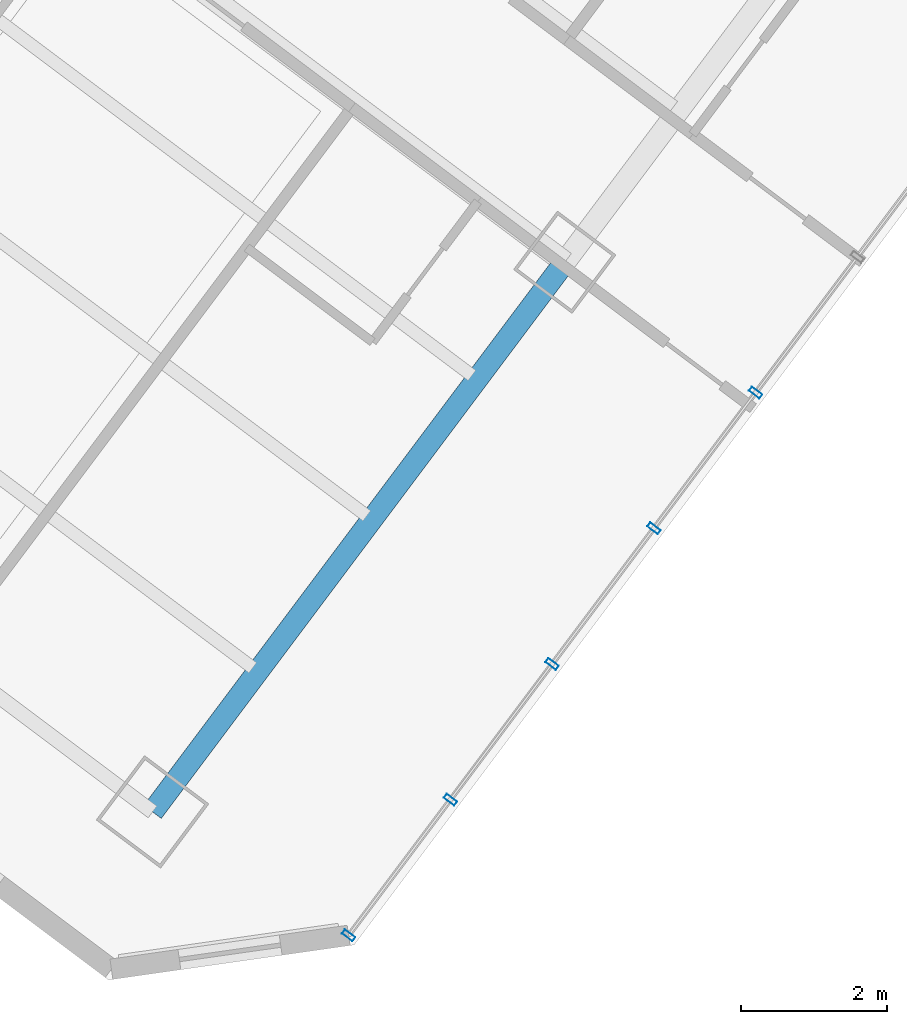
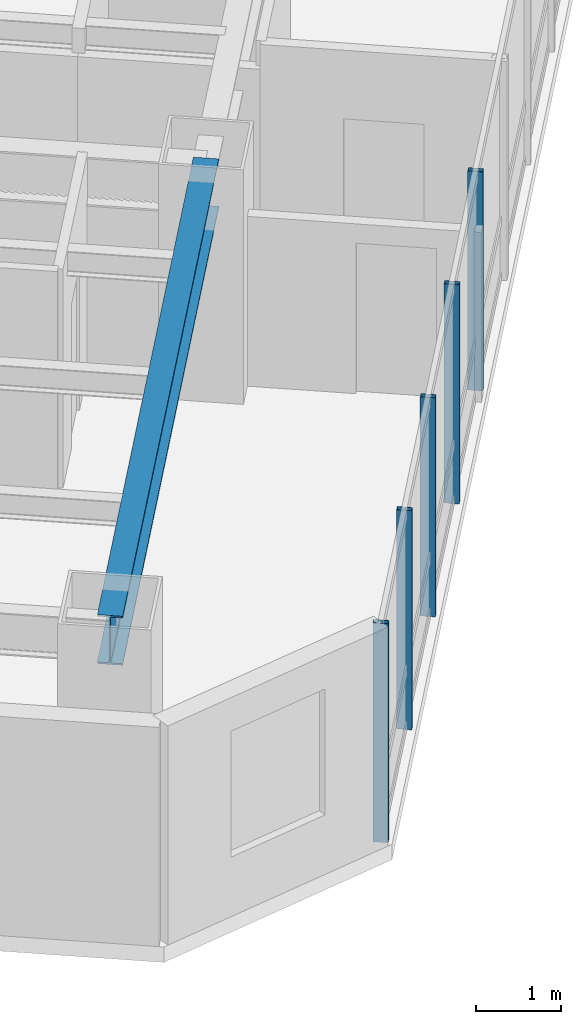
# One storey, part 8 of 32: 5 members, 1 beam, 1 element without a shape of its own.
"""IFC4 building model written with IfcOpenShell, lengths in metres."""

from ifc_helpers import new_model, si_unit, direction, frame, origin, origin_2d, place, context, subcontext, project, spatial, hollow_rectangle, i_section, extrude, material, layer, layer_set, material_profile, profile_set, type_object, element, aggregate, save


model = new_model("IFC4")

# Units and contexts
model_context = context("Model", 3, precision=1e-05, world=origin(), true_north=direction((0.0, 1.0)))
body_context = subcontext(model_context, "Body", "Model", "MODEL_VIEW")
ifc_project = project(units=[si_unit("LENGTHUNIT", "METRE"), si_unit("AREAUNIT", "SQUARE_METRE"), si_unit("VOLUMEUNIT", "CUBIC_METRE"), si_unit("PLANEANGLEUNIT", "RADIAN"), si_unit("MASSUNIT", "GRAM", prefix="KILO")], contexts=[model_context])

# Site, building, storey
site_placement = place(None, origin())
site = spatial("IfcSite", under=ifc_project, at=site_placement, CompositionType="ELEMENT")
building_placement = place(site_placement, origin())
building = spatial("IfcBuilding", under=site, at=building_placement, Name="Hatsunagi Terrace Concourse", CompositionType="ELEMENT")
storey_placement = place(building_placement, frame((0.0, 0.0, 36.60009765625)))
storey = spatial("IfcBuildingStorey", under=building, at=storey_placement, Name="L08", CompositionType="ELEMENT", Elevation=36.60009765625)

# Curtain wall, members
ifc_material_1 = material(Name="Anodised Aluminium Alloy 6063-T5", Category="aluminium")
ifc_layer = layer(ifc_material_1, 0.199951171875)
ifc_layer_set = layer_set([ifc_layer], Name="HotelFacade_CW02")
curtain_wall_type = type_object("IfcCurtainWallType", Name="HotelFacade_CW02", PredefinedType="NOTDEFINED", material=ifc_layer_set)
curtain_wall_placement = place(storey_placement, origin())
curtain_wall = element("IfcCurtainWall", 1, at=curtain_wall_placement, inside=storey, type_object=curtain_wall_type, Name="Unitised Curtain Wall CW-02 CW-L08-03", PredefinedType="NOTDEFINED")
ifc_material_2 = material(Name="Anodised Aluminium Alloy 6063-T5", Category="aluminium")
ifc_material_profile_1 = material_profile(ifc_material_2, hollow_rectangle(XDim=0.070068359375, YDim=0.179931640625, WallThickness=0.00390625, at=origin_2d()), Name="ALU-MUL-180x70x4")
ifc_profile_set_1 = profile_set([ifc_material_profile_1], Name="Anodised Aluminium Alloy 6063-T5")
member_type = type_object("IfcMemberType", Name="CurtainWallMullion_180x70", PredefinedType="MULLION", material=ifc_profile_set_1)
member_1_placement = place(storey_placement, frame((62.132080078125, 10.3759765625, 0.0), z_axis=(0.0, 0.0, 1.0), x_axis=(-0.599969314634, -0.800023013105, 0.0)))
member_1 = element("IfcMember", 2, at=member_1_placement, type_object=member_type, Name="Curtain Wall Mullion MUL-02", PredefinedType="MULLION", context=body_context, shape_type="SweptSolid", body=[
    extrude(hollow_rectangle(XDim=0.070068359375, YDim=0.179931640625, WallThickness=0.00390625, at=origin_2d()), origin(), (0.0, 0.0, 1.0), 3.1298828125),
])
member_2_placement = place(storey_placement, frame((60.739990234375, 8.51904296875, 0.0), z_axis=(0.0, 0.0, 1.0), x_axis=(-0.599969314634, -0.800023013105, 0.0)))
member_2 = element("IfcMember", 3, at=member_2_placement, type_object=member_type, Name="Curtain Wall Mullion MUL-02", PredefinedType="MULLION", context=body_context, shape_type="SweptSolid", body=[
    extrude(hollow_rectangle(XDim=0.070068359375, YDim=0.179931640625, WallThickness=0.00390625, at=origin_2d()), origin(), (0.0, 0.0, 1.0), 3.1298828125),
])
member_3_placement = place(storey_placement, frame((59.346923828125, 6.6630859375, 0.0), z_axis=(0.0, 0.0, 1.0), x_axis=(-0.599969314634, -0.800023013105, 0.0)))
member_3 = element("IfcMember", 4, at=member_3_placement, type_object=member_type, Name="Curtain Wall Mullion MUL-02", PredefinedType="MULLION", context=body_context, shape_type="SweptSolid", body=[
    extrude(hollow_rectangle(XDim=0.070068359375, YDim=0.179931640625, WallThickness=0.00390625, at=origin_2d()), origin(), (0.0, 0.0, 1.0), 3.1298828125),
])
member_4_placement = place(storey_placement, frame((57.955078125, 4.805908203125, 0.0), z_axis=(0.0, 0.0, 1.0), x_axis=(-0.599969314634, -0.800023013105, 0.0)))
member_4 = element("IfcMember", 5, at=member_4_placement, type_object=member_type, Name="Curtain Wall Mullion MUL-02", PredefinedType="MULLION", context=body_context, shape_type="SweptSolid", body=[
    extrude(hollow_rectangle(XDim=0.070068359375, YDim=0.179931640625, WallThickness=0.00390625, at=origin_2d()), origin(), (0.0, 0.0, 1.0), 3.1298828125),
])
member_5_placement = place(storey_placement, frame((56.56298828125, 2.949951171875, 0.0), z_axis=(0.0, 0.0, 1.0), x_axis=(-0.599969314634, -0.800023013105, 0.0)))
member_5 = element("IfcMember", 6, at=member_5_placement, type_object=member_type, Name="Curtain Wall Mullion MUL-02", PredefinedType="MULLION", context=body_context, shape_type="SweptSolid", body=[
    extrude(hollow_rectangle(XDim=0.070068359375, YDim=0.179931640625, WallThickness=0.00390625, at=origin_2d()), origin(), (0.0, 0.0, 1.0), 3.1298828125),
])
aggregate(curtain_wall, [member_1, member_2, member_3, member_4, member_5])

# Beam
ifc_material_3 = material(Name="Steel SN490B", Category="steel")
ifc_material_profile_2 = material_profile(ifc_material_3, i_section(OverallWidth=0.300048828125, OverallDepth=0.699951171875, WebThickness=0.012939453125, FlangeThickness=0.02392578125, FilletRadius=0.02197265625, at=origin_2d()), Name="H-700x300x13x24")
ifc_profile_set_2 = profile_set([ifc_material_profile_2], Name="Steel SN490B")
beam_type = type_object("IfcBeamType", Name="HotelFloorGirder_H_700x300", PredefinedType="BEAM", material=ifc_profile_set_2)
beam_placement = place(storey_placement, frame((53.8798828125, 4.639892578125, 2.77978515625), z_axis=(0.600008311051, 0.799993766644, 0.0), x_axis=(-0.799993766644, 0.600008311051, 0.0)))
element("IfcBeam", 7, at=beam_placement, inside=storey, type_object=beam_type, Name="Beam G-04 BM-L08-SET-3A", PredefinedType="BEAM", context=body_context, shape_type="SweptSolid", body=[
    extrude(i_section(OverallWidth=0.300048828125, OverallDepth=0.699951171875, WebThickness=0.012939453125, FlangeThickness=0.02392578125, FilletRadius=0.02197265625, at=origin_2d()), origin(), (0.0, 0.0, 1.0), 9.400146484375),
])

save(model, "model.ifc")
